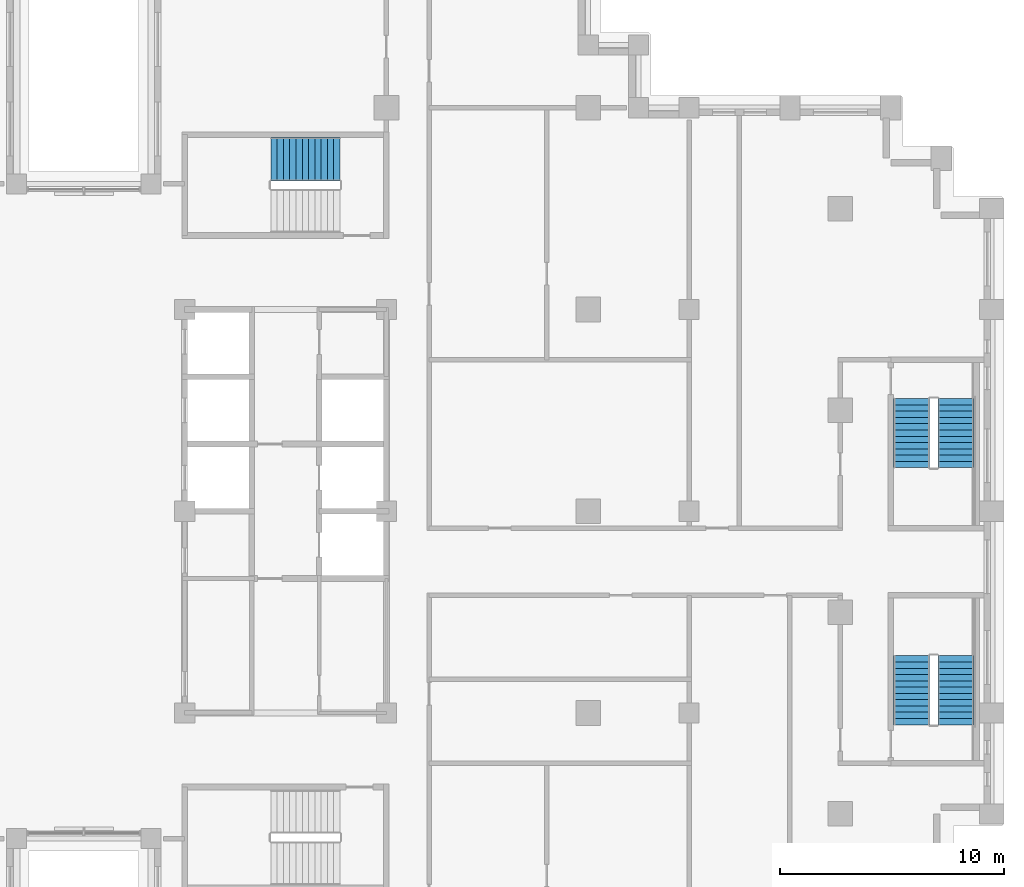
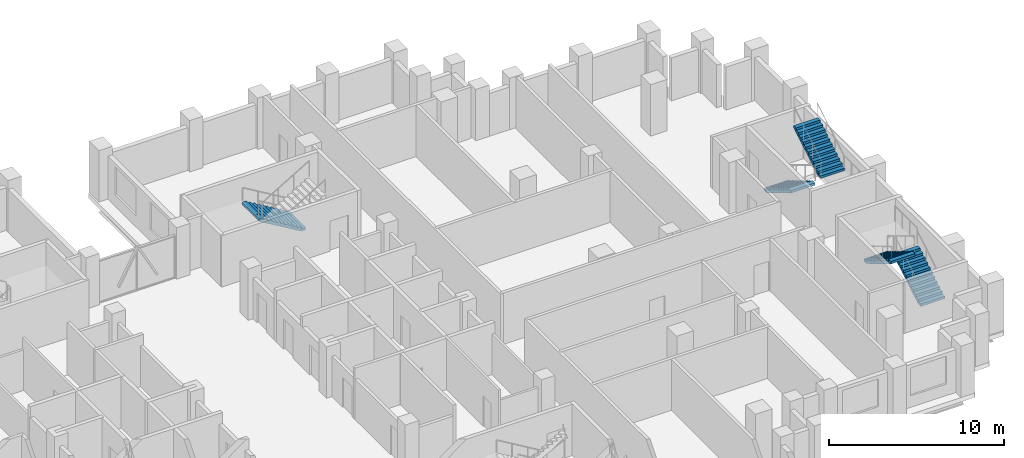
# One storey, part 14 of 16: 5 stair flights, 3 elements without a shape of their own.
"""IFC4 building model written with IfcOpenShell, lengths in metres."""

import ifcopenshell
import ifcopenshell.guid

model = None  # the IFC model being written
_history = None  # IfcOwnerHistory: only IFC2X3 demands one
_inside = {}  # id of a spatial element -> (the spatial element, [elements in it])
_under = {}  # id of a project, library or spatial element -> (it, [spatial elements below it])
_declared = {}  # id of a project -> (the project, [libraries it declares])
_typed = {}  # id of a type object -> (the type object, [elements of that type])
_made_of = {}  # id of a material, layer set ... -> (it, [elements and type objects made of it])


def new_model(schema):
    """Start an empty IFC model of exactly this schema.

    Asked for "IFC4X3", IfcOpenShell would pick the latest addendum, in which some entities
    have other attributes; the version numbers below select the first issue.
    IFC2X3 requires an IfcOwnerHistory on every rooted entity: one is made here for all.
    """
    global model, _history
    if schema == "IFC4X3":
        model = ifcopenshell.file(schema_version=(4, 3, 0, 0))
    else:
        model = ifcopenshell.file(schema=schema)
    _inside.clear()
    _under.clear()
    _declared.clear()
    _typed.clear()
    _made_of.clear()
    _history = None
    if model.schema == "IFC2X3":
        org = make("IfcOrganization", Name="unknown")
        user = make(
            "IfcPersonAndOrganization",
            ThePerson=make("IfcPerson", FamilyName="unknown"),
            TheOrganization=org,
        )
        app = make(
            "IfcApplication",
            ApplicationDeveloper=org,
            Version="unknown",
            ApplicationFullName="unknown",
            ApplicationIdentifier="unknown",
        )
        _history = make(
            "IfcOwnerHistory",
            OwningUser=user,
            OwningApplication=app,
            ChangeAction="ADDED",
            CreationDate=0,
        )
    return model


def make(cls, **values):
    """One entity of the class cls with the attributes given. An attribute that is None is left unset."""
    return model.create_entity(
        cls, **{name: value for name, value in values.items() if value is not None}
    )


def rooted(cls, **values):
    """An entity with a GlobalId (a new one), such as an element, a storey or a relation."""
    return make(cls, GlobalId=ifcopenshell.guid.new(), OwnerHistory=_history, **values)


def si_unit(unit_type, name, prefix=None):
    """IfcSIUnit, for example si_unit("LENGTHUNIT", "METRE", prefix="MILLI")."""
    return make("IfcSIUnit", UnitType=unit_type, Prefix=prefix, Name=name)


def assignment(units):
    """IfcUnitAssignment: the units of a project."""
    return None if units is None else make("IfcUnitAssignment", Units=units)


def point(xyz):
    """IfcCartesianPoint."""
    return None if xyz is None else make("IfcCartesianPoint", Coordinates=xyz)


def direction(xyz):
    """IfcDirection."""
    return None if xyz is None else make("IfcDirection", DirectionRatios=xyz)


def frame(location, z_axis=None, x_axis=None):
    """IfcAxis2Placement3D, a coordinate frame: its origin and axes. An axis left out is left unset."""
    return make(
        "IfcAxis2Placement3D",
        Location=point(location),
        Axis=direction(z_axis),
        RefDirection=direction(x_axis),
    )


def origin():
    """The frame at (0, 0, 0) with its axes left unset."""
    return frame((0.0, 0.0, 0.0))


def place(relative_to, where):
    """IfcLocalPlacement: puts the frame where relative to a parent placement (None: the world)."""
    return make(
        "IfcLocalPlacement", PlacementRelTo=relative_to, RelativePlacement=where
    )


def context(
    kind, dimensions, precision=None, world=None, true_north=None, identifier=None
):
    """IfcGeometricRepresentationContext, for example the 3D "Model" context."""
    return make(
        "IfcGeometricRepresentationContext",
        ContextIdentifier=identifier,
        ContextType=kind,
        CoordinateSpaceDimension=dimensions,
        Precision=precision,
        WorldCoordinateSystem=world,
        TrueNorth=true_north,
    )


def subcontext(parent, identifier, kind, view, scale=None):
    """IfcGeometricRepresentationSubContext, for example "Body" below "Model"."""
    return make(
        "IfcGeometricRepresentationSubContext",
        ContextIdentifier=identifier,
        ContextType=kind,
        ParentContext=parent,
        TargetScale=scale,
        TargetView=view,
    )


def project(units=None, contexts=None):
    """IfcProject with its units and contexts."""
    return rooted(
        "IfcProject",
        Name="project",
        RepresentationContexts=contexts,
        UnitsInContext=assignment(units),
    )


def spatial(cls, under=None, at=None, **own):
    """A site, building, storey or space (cls), placed at a placement, below another one or the project."""
    s = rooted(cls, ObjectPlacement=at, **own)
    if under is not None:
        _under.setdefault(under.id(), (under, []))[1].append(s)
    return s


def polyline(points):
    """IfcPolyline through the points."""
    return make("IfcPolyline", Points=[point(p) for p in points])


def outline(outer, holes=None, kind="AREA"):
    """IfcArbitraryClosedProfileDef: a profile drawn as a closed curve; with holes, ...WithVoids."""
    if holes is None:
        return make("IfcArbitraryClosedProfileDef", ProfileType=kind, OuterCurve=outer)
    return make(
        "IfcArbitraryProfileDefWithVoids",
        ProfileType=kind,
        OuterCurve=outer,
        InnerCurves=holes,
    )


def extrude(swept, where, along, depth):
    """IfcExtrudedAreaSolid: the profile swept, set in the frame where, extruded along a direction by depth."""
    return make(
        "IfcExtrudedAreaSolid",
        SweptArea=swept,
        Position=where,
        ExtrudedDirection=direction(along),
        Depth=depth,
    )


def shape(context_of_items, identifier, shape_type, items):
    """IfcShapeRepresentation: the items that make up one representation, for example the "Body"."""
    return make(
        "IfcShapeRepresentation",
        ContextOfItems=context_of_items,
        RepresentationIdentifier=identifier,
        RepresentationType=shape_type,
        Items=items,
    )


def material(Name=None, Category=None):
    """IfcMaterial."""
    return make("IfcMaterial", Name=Name, Category=Category)


def made_of(thing, what):
    """Note that an element or type object is made of a material, layer set ...; save() writes the relation."""
    if what is not None:
        _made_of.setdefault(what.id(), (what, []))[1].append(thing)
    return thing


def type_object(cls, material=None, **own):
    """A type object (cls), such as IfcWallType, which elements share."""
    return made_of(rooted(cls, **own), material)


def element(
    cls,
    number,
    at=None,
    inside=None,
    cuts=None,
    type_object=None,
    material=None,
    context=None,
    identifier="Body",
    shape_type=None,
    held_by="IfcProductDefinitionShape",
    body=None,
    shapes=None,
    **own,
):
    """One element of the class cls, such as IfcWall. Its Tag is "e" and its number.

    at: its placement. inside: the storey or other place that contains it. cuts: it is an
    opening in that element (IfcRelVoidsElement). A single representation is given by context,
    identifier, shape_type and body (its items); several are given by shapes. held_by: the class
    of the entity that holds the representations. save() writes the other relations.
    """
    e = rooted(cls, Tag="e%d" % number, ObjectPlacement=at, **own)
    if body is not None:
        shapes = [shape(context, identifier, shape_type, body)]
    if shapes is not None:
        e.Representation = make(held_by, Representations=shapes)
    if inside is not None:
        _inside.setdefault(inside.id(), (inside, []))[1].append(e)
    if cuts is not None:
        rooted(
            "IfcRelVoidsElement", RelatingBuildingElement=cuts, RelatedOpeningElement=e
        )
    if type_object is not None:
        _typed.setdefault(type_object.id(), (type_object, []))[1].append(e)
    return made_of(e, material)


def aggregate(whole, parts):
    """IfcRelAggregates: a whole, such as a stair, and the parts it consists of."""
    return rooted("IfcRelAggregates", RelatingObject=whole, RelatedObjects=parts)


def save(model, path):
    """Write the relations noted so far, then the file.

    IfcRelAggregates (storeys below a building ...), IfcRelContainedInSpatialStructure (elements
    in a storey), IfcRelDefinesByType, IfcRelAssociatesMaterial and IfcRelDeclares: one each for
    every whole, place, type object, material and project.
    """
    for whole, parts in _under.values():
        aggregate(whole, parts)
    for where, things in _inside.values():
        rooted(
            "IfcRelContainedInSpatialStructure",
            RelatedElements=things,
            RelatingStructure=where,
        )
    for kind, things in _typed.values():
        rooted("IfcRelDefinesByType", RelatedObjects=things, RelatingType=kind)
    for what, things in _made_of.values():
        rooted("IfcRelAssociatesMaterial", RelatedObjects=things, RelatingMaterial=what)
    for by, libraries in _declared.values():
        rooted("IfcRelDeclares", RelatingContext=by, RelatedDefinitions=libraries)
    model.write(path)


model = new_model("IFC4")

# Units and contexts
model_context = context("Model", 3, precision=1e-05, world=origin(), true_north=direction((0.0, 1.0)))
body_context = subcontext(model_context, "Body", "Model", "MODEL_VIEW")
ifc_project = project(units=[si_unit("LENGTHUNIT", "METRE"), si_unit("AREAUNIT", "SQUARE_METRE"), si_unit("VOLUMEUNIT", "CUBIC_METRE"), si_unit("PLANEANGLEUNIT", "RADIAN"), si_unit("MASSUNIT", "GRAM", prefix="KILO")], contexts=[model_context])

# Site, building, storey
site_placement = place(None, origin())
site = spatial("IfcSite", under=ifc_project, at=site_placement, CompositionType="ELEMENT")
building_placement = place(site_placement, origin())
building = spatial("IfcBuilding", under=site, at=building_placement, Name="Corbelhall Arena Tower", CompositionType="ELEMENT")
storey_placement = place(building_placement, frame((0.0, 0.0, 174.0)))
storey = spatial("IfcBuildingStorey", under=building, at=storey_placement, Name="L35", CompositionType="ELEMENT", Elevation=174.0)

# Stair, stair flight
ifc_material = material(Name="Concrete C40/50", Category="concrete")
stair_type = type_object("IfcStairType", Name="IN-ST-TOWER", PredefinedType="HALF_TURN_STAIR", material=ifc_material)
stair_1_placement = place(storey_placement, origin())
stair_1 = element("IfcStair", 1, at=stair_1_placement, inside=storey, type_object=stair_type, Name="L35 Exit stair ST3", PredefinedType="HALF_TURN_STAIR")
stair_flight_type = type_object("IfcStairFlightType", Name="IN-SFL-RC", PredefinedType="STRAIGHT", material=ifc_material)
stair_flight_1_placement = place(storey_placement, frame((11.425048828125, 15.699951171875, 0.0), z_axis=(0.0, 0.0, 1.0), x_axis=(-1.0, 0.0, 0.0)))
stair_flight_1 = element("IfcStairFlight", 2, at=stair_flight_1_placement, type_object=stair_flight_type, Name="ST3 flight 1", NumberOfRisers=12, NumberOfTreads=11, PredefinedType="STRAIGHT", RiserHeight=0.166666667, TreadLength=0.28, context=body_context, shape_type="SweptSolid", body=[
    extrude(outline(polyline([(0.0, 0.0), (0.0, 0.166748046875), (0.280029296875, 0.166748046875), (0.280029296875, 0.333251953125), (0.56005859375, 0.333251953125), (0.56005859375, 0.5), (0.840087890625, 0.5), (0.840087890625, 0.666748046875), (1.1201171875, 0.666748046875), (1.1201171875, 0.833251953125), (1.39990234375, 0.833251953125), (1.39990234375, 1.0), (1.679931640625, 1.0), (1.679931640625, 1.166748046875), (1.9599609375, 1.166748046875), (1.9599609375, 1.333251953125), (2.239990234375, 1.333251953125), (2.239990234375, 1.5), (2.52001953125, 1.5), (2.52001953125, 1.666748046875), (2.800048828125, 1.666748046875), (2.800048828125, 1.833251953125), (3.080078125, 1.833251953125), (3.080078125, 2.0), (3.080078125, 1.658935546875), (0.29296875, 0.0), (0.0, 0.0)])), frame((0.0, 0.97509765625, 0.0), z_axis=(0.0, -1.0, 0.0), x_axis=(1.0, 0.0, 0.0)), (0.0, 0.0, 1.0), 0.449951171875),
    extrude(outline(polyline([(0.0, 0.0), (0.0, 0.166748046875), (0.280029296875, 0.166748046875), (0.280029296875, 0.333251953125), (0.56005859375, 0.333251953125), (0.56005859375, 0.5), (0.840087890625, 0.5), (0.840087890625, 0.666748046875), (1.1201171875, 0.666748046875), (1.1201171875, 0.833251953125), (1.39990234375, 0.833251953125), (1.39990234375, 1.0), (1.679931640625, 1.0), (1.679931640625, 1.166748046875), (1.9599609375, 1.166748046875), (1.9599609375, 1.333251953125), (2.239990234375, 1.333251953125), (2.239990234375, 1.5), (2.52001953125, 1.5), (2.52001953125, 1.666748046875), (2.800048828125, 1.666748046875), (2.800048828125, 1.833251953125), (3.080078125, 1.833251953125), (3.080078125, 2.0), (3.080078125, 1.658935546875), (0.29296875, 0.0), (0.0, 0.0)])), frame((0.0, 0.52099609375, 0.0), z_axis=(0.0, -1.0, 0.0), x_axis=(1.0, 0.0, 0.0)), (0.0, 0.0, 1.0), 1.0419921875),
    extrude(outline(polyline([(0.0, 0.0), (0.0, 0.166748046875), (0.280029296875, 0.166748046875), (0.280029296875, 0.333251953125), (0.56005859375, 0.333251953125), (0.56005859375, 0.5), (0.840087890625, 0.5), (0.840087890625, 0.666748046875), (1.1201171875, 0.666748046875), (1.1201171875, 0.833251953125), (1.39990234375, 0.833251953125), (1.39990234375, 1.0), (1.679931640625, 1.0), (1.679931640625, 1.166748046875), (1.9599609375, 1.166748046875), (1.9599609375, 1.333251953125), (2.239990234375, 1.333251953125), (2.239990234375, 1.5), (2.52001953125, 1.5), (2.52001953125, 1.666748046875), (2.800048828125, 1.666748046875), (2.800048828125, 1.833251953125), (3.080078125, 1.833251953125), (3.080078125, 2.0), (3.080078125, 1.658935546875), (0.29296875, 0.0), (0.0, 0.0)])), frame((0.0, -0.52490234375, 0.0), z_axis=(0.0, -1.0, 0.0), x_axis=(1.0, 0.0, 0.0)), (0.0, 0.0, 1.0), 0.449951171875),
])
aggregate(stair_1, [stair_flight_1])

# Stair, stair flights
stair_2_placement = place(storey_placement, origin())
stair_2 = element("IfcStair", 3, at=stair_2_placement, inside=storey, type_object=stair_type, Name="L35 Exit stair SD1", PredefinedType="HALF_TURN_STAIR")
stair_flight_2_placement = place(storey_placement, frame((38.89990234375, -9.52490234375, 0.0), z_axis=(0.0, 0.0, 1.0), x_axis=(0.0, 1.0, 0.0)))
stair_flight_2 = element("IfcStairFlight", 4, at=stair_flight_2_placement, type_object=stair_flight_type, Name="SD1 flight 1", NumberOfRisers=12, NumberOfTreads=11, PredefinedType="STRAIGHT", RiserHeight=0.166666667, TreadLength=0.28, context=body_context, shape_type="SweptSolid", body=[
    extrude(outline(polyline([(0.0, 0.0), (0.0, 0.166748046875), (0.280029296875, 0.166748046875), (0.280029296875, 0.333251953125), (0.56005859375, 0.333251953125), (0.56005859375, 0.5), (0.840087890625, 0.5), (0.840087890625, 0.666748046875), (1.1201171875, 0.666748046875), (1.1201171875, 0.833251953125), (1.39990234375, 0.833251953125), (1.39990234375, 1.0), (1.679931640625, 1.0), (1.679931640625, 1.166748046875), (1.9599609375, 1.166748046875), (1.9599609375, 1.333251953125), (2.239990234375, 1.333251953125), (2.239990234375, 1.5), (2.52001953125, 1.5), (2.52001953125, 1.666748046875), (2.800048828125, 1.666748046875), (2.800048828125, 1.833251953125), (3.080078125, 1.833251953125), (3.080078125, 2.0), (3.080078125, 1.658935546875), (0.29296875, 0.0), (0.0, 0.0)])), frame((0.0, 0.800048828125, 0.0), z_axis=(0.0, -1.0, 0.0), x_axis=(1.0, 0.0, 0.0)), (0.0, 0.0, 1.0), 1.60009765625),
])
stair_flight_3_placement = place(storey_placement, frame((36.925048828125, -6.445068359375, 2.0), z_axis=(0.0, 0.0, 1.0), x_axis=(0.0, -1.0, 0.0)))
stair_flight_3 = element("IfcStairFlight", 5, at=stair_flight_3_placement, type_object=stair_flight_type, Name="SD1 flight 2", NumberOfRisers=12, NumberOfTreads=11, PredefinedType="STRAIGHT", RiserHeight=0.166666667, TreadLength=0.28, context=body_context, shape_type="SweptSolid", body=[
    extrude(outline(polyline([(0.0, 0.0), (0.0, 0.166748046875), (0.280029296875, 0.166748046875), (0.280029296875, 0.333251953125), (0.56005859375, 0.333251953125), (0.56005859375, 0.5), (0.840087890625, 0.5), (0.840087890625, 0.666748046875), (1.1201171875, 0.666748046875), (1.1201171875, 0.833251953125), (1.39990234375, 0.833251953125), (1.39990234375, 1.0), (1.679931640625, 1.0), (1.679931640625, 1.166748046875), (1.9599609375, 1.166748046875), (1.9599609375, 1.333251953125), (2.239990234375, 1.333251953125), (2.239990234375, 1.5), (2.52001953125, 1.5), (2.52001953125, 1.666748046875), (2.800048828125, 1.666748046875), (2.800048828125, 1.833251953125), (3.080078125, 1.833251953125), (3.080078125, 2.0), (3.080078125, 1.658935546875), (0.29296875, 0.0), (0.0, 0.0)])), frame((0.0, 0.800048828125, 0.0), z_axis=(0.0, -1.0, 0.0), x_axis=(1.0, 0.0, 0.0)), (0.0, 0.0, 1.0), 1.60009765625),
])
aggregate(stair_2, [stair_flight_2, stair_flight_3])

stair_3_placement = place(storey_placement, origin())
stair_3 = element("IfcStair", 6, at=stair_3_placement, inside=storey, type_object=stair_type, Name="L35 Exit stair SD2", PredefinedType="HALF_TURN_STAIR")
stair_flight_4_placement = place(storey_placement, frame((36.925048828125, 5.02490234375, 0.0), z_axis=(0.0, 0.0, 1.0), x_axis=(0.0, -1.0, 0.0)))
stair_flight_4 = element("IfcStairFlight", 7, at=stair_flight_4_placement, type_object=stair_flight_type, Name="SD2 flight 1", NumberOfRisers=12, NumberOfTreads=11, PredefinedType="STRAIGHT", RiserHeight=0.166666667, TreadLength=0.28, context=body_context, shape_type="SweptSolid", body=[
    extrude(outline(polyline([(0.0, 0.0), (0.0, 0.166748046875), (0.280029296875, 0.166748046875), (0.280029296875, 0.333251953125), (0.56005859375, 0.333251953125), (0.56005859375, 0.5), (0.840087890625, 0.5), (0.840087890625, 0.666748046875), (1.1201171875, 0.666748046875), (1.1201171875, 0.833251953125), (1.39990234375, 0.833251953125), (1.39990234375, 1.0), (1.679931640625, 1.0), (1.679931640625, 1.166748046875), (1.9599609375, 1.166748046875), (1.9599609375, 1.333251953125), (2.239990234375, 1.333251953125), (2.239990234375, 1.5), (2.52001953125, 1.5), (2.52001953125, 1.666748046875), (2.800048828125, 1.666748046875), (2.800048828125, 1.833251953125), (3.080078125, 1.833251953125), (3.080078125, 2.0), (3.080078125, 1.658935546875), (0.29296875, 0.0), (0.0, 0.0)])), frame((0.0, 0.800048828125, 0.0), z_axis=(0.0, -1.0, 0.0), x_axis=(1.0, 0.0, 0.0)), (0.0, 0.0, 1.0), 1.60009765625),
])
stair_flight_5_placement = place(storey_placement, frame((38.89990234375, 1.945068359375, 2.0), z_axis=(0.0, 0.0, 1.0), x_axis=(0.0, 1.0, 0.0)))
stair_flight_5 = element("IfcStairFlight", 8, at=stair_flight_5_placement, type_object=stair_flight_type, Name="SD2 flight 2", NumberOfRisers=12, NumberOfTreads=11, PredefinedType="STRAIGHT", RiserHeight=0.166666667, TreadLength=0.28, context=body_context, shape_type="SweptSolid", body=[
    extrude(outline(polyline([(0.0, 0.0), (0.0, 0.166748046875), (0.280029296875, 0.166748046875), (0.280029296875, 0.333251953125), (0.56005859375, 0.333251953125), (0.56005859375, 0.5), (0.840087890625, 0.5), (0.840087890625, 0.666748046875), (1.1201171875, 0.666748046875), (1.1201171875, 0.833251953125), (1.39990234375, 0.833251953125), (1.39990234375, 1.0), (1.679931640625, 1.0), (1.679931640625, 1.166748046875), (1.9599609375, 1.166748046875), (1.9599609375, 1.333251953125), (2.239990234375, 1.333251953125), (2.239990234375, 1.5), (2.52001953125, 1.5), (2.52001953125, 1.666748046875), (2.800048828125, 1.666748046875), (2.800048828125, 1.833251953125), (3.080078125, 1.833251953125), (3.080078125, 2.0), (3.080078125, 1.658935546875), (0.29296875, 0.0), (0.0, 0.0)])), frame((0.0, 0.800048828125, 0.0), z_axis=(0.0, -1.0, 0.0), x_axis=(1.0, 0.0, 0.0)), (0.0, 0.0, 1.0), 1.60009765625),
])
aggregate(stair_3, [stair_flight_4, stair_flight_5])

save(model, "model.ifc")
